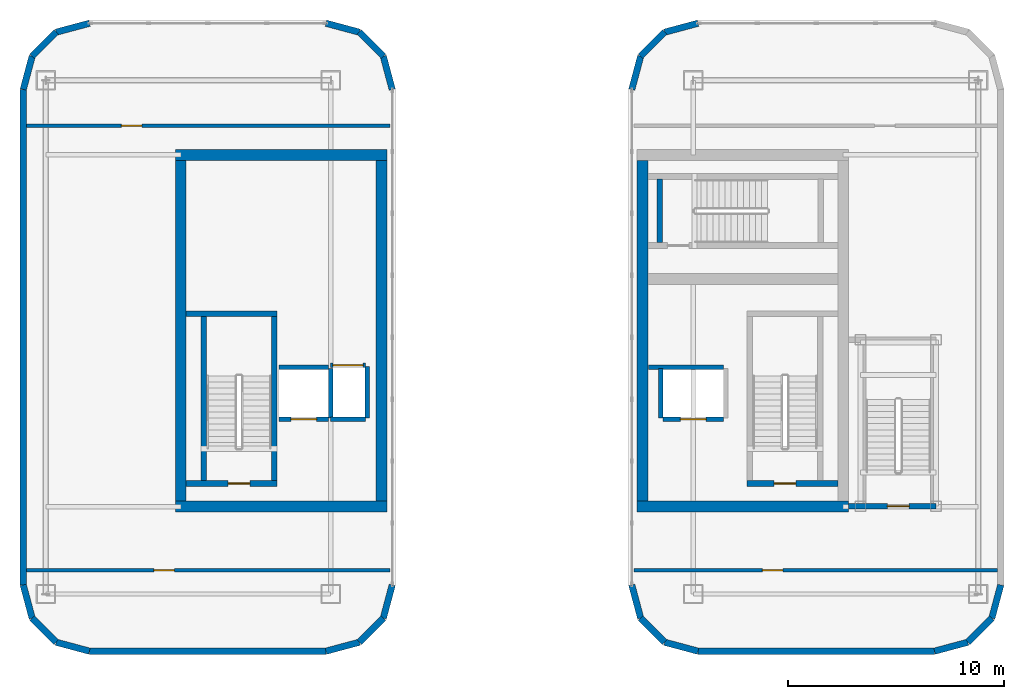
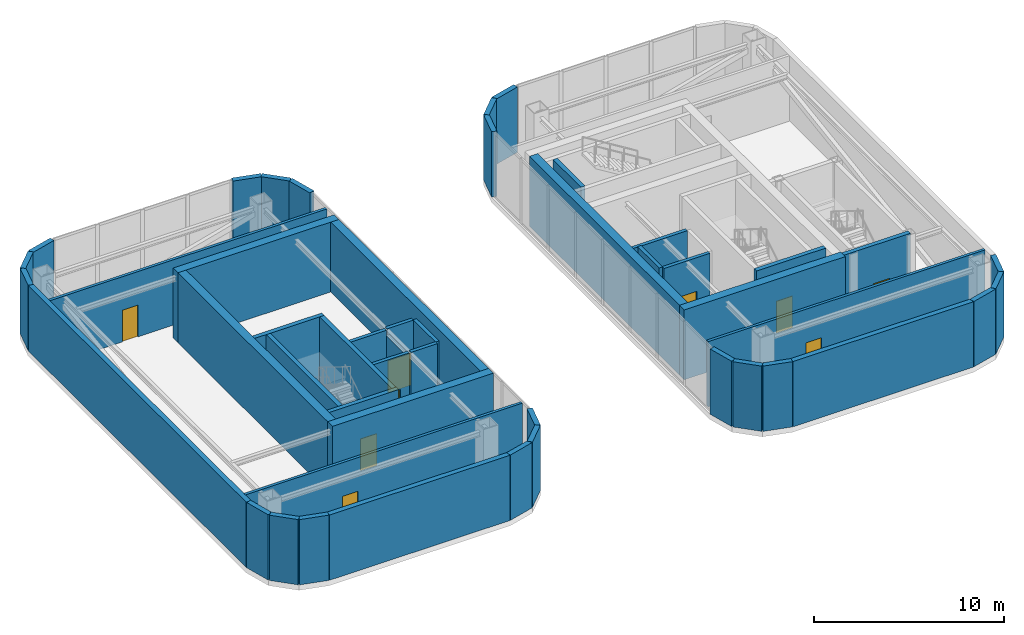
# One storey, part 11 of 14: 49 walls, 9 doors, 9 openings.
"""IFC4 building model written with IfcOpenShell, lengths in metres."""

from ifc_helpers import new_model, si_unit, direction, frame, frame_2d, origin, place, context, subcontext, project, spatial, rectangle, extrude, material, layer, layer_set, type_object, element, fill, save


model = new_model("IFC4")

# Units and contexts
model_context = context("Model", 3, precision=1e-05, world=origin(), true_north=direction((0.0, 1.0)))
body_context = subcontext(model_context, "Body", "Model", "MODEL_VIEW")
ifc_project = project(units=[si_unit("LENGTHUNIT", "METRE"), si_unit("AREAUNIT", "SQUARE_METRE"), si_unit("VOLUMEUNIT", "CUBIC_METRE"), si_unit("PLANEANGLEUNIT", "RADIAN"), si_unit("MASSUNIT", "GRAM", prefix="KILO")], contexts=[model_context])

# Site, building, storey
site_placement = place(None, origin())
site = spatial("IfcSite", under=ifc_project, at=site_placement, CompositionType="ELEMENT")
building_placement = place(site_placement, origin())
building = spatial("IfcBuilding", under=site, at=building_placement, Name="Kiyonajd Concourse Tower", CompositionType="ELEMENT")
storey_placement = place(building_placement, frame((0.0, 0.0, 359.39990234375)))
storey = spatial("IfcBuildingStorey", under=building, at=storey_placement, Name="L90", CompositionType="ELEMENT", Elevation=359.39990234375)

# Walls
ifc_material_1 = material(Name="Concrete C60/75", Category="concrete")
ifc_layer_1 = layer(ifc_material_1, 0.5)
ifc_layer_set_1 = layer_set([ifc_layer_1], Name="Concrete C60/75")
wall_type_1 = type_object("IfcWallType", Name="WL-CORE-500", PredefinedType="SHEAR", material=ifc_layer_set_1)
for number, where, z_axis, x_axis, name in (
    (1, (32.64990234375, 28.10009765625, 0.0), (0.0, 0.0, 1.0), (0.0, 1.0, 0.0), "L90 West Crown Outer Core Wall"),
    (2, (41.949951171875, 28.10009765625, 0.0), (0.0, 0.0, 1.0), (0.0, 1.0, 0.0), "L90 West Crown Inner Core Wall"),
):
    element("IfcWall", number, at=place(storey_placement, frame(where, z_axis=z_axis, x_axis=x_axis)), inside=storey, type_object=wall_type_1, Name=name, PredefinedType="SHEAR", context=body_context, shape_type="SweptSolid", body=[
        extrude(rectangle(XDim=15.7998046875, YDim=0.5, at=frame_2d((7.89990234375, 0.0))), origin(), (0.0, 0.0, 1.0), 4.5),
    ])
for number, where, z_axis, x_axis, name in (
    (3, (32.39990234375, 27.85009765625, 0.0), (0.0, 0.0, 1.0), (1.0, 0.0, 0.0), "L90 West Crown South Core Wall"),
    (4, (32.39990234375, 44.14990234375, 0.0), (0.0, 0.0, 1.0), (1.0, 0.0, 0.0), "L90 West Crown North Core Wall"),
):
    element("IfcWall", number, at=place(storey_placement, frame(where, z_axis=z_axis, x_axis=x_axis)), inside=storey, type_object=wall_type_1, Name=name, PredefinedType="SHEAR", context=body_context, shape_type="SweptSolid", body=[
        extrude(rectangle(XDim=9.800048828125, YDim=0.5, at=frame_2d((4.89990234375, 0.0))), origin(), (0.0, 0.0, 1.0), 4.5),
    ])
wall_1_placement = place(storey_placement, frame((54.050048828125, 28.10009765625, 0.0), z_axis=(0.0, 0.0, 1.0), x_axis=(0.0, 1.0, 0.0)))
element("IfcWall", 5, at=wall_1_placement, inside=storey, type_object=wall_type_1, Name="L90 East Crown Inner Core Wall", PredefinedType="SHEAR", context=body_context, shape_type="SweptSolid", body=[
    extrude(rectangle(XDim=15.7998046875, YDim=0.5, at=frame_2d((7.89990234375, 0.0))), origin(), (0.0, 0.0, 1.0), 4.5),
])
wall_2_placement = place(storey_placement, frame((53.800048828125, 27.85009765625, 0.0), z_axis=(0.0, 0.0, 1.0), x_axis=(1.0, 0.0, 0.0)))
element("IfcWall", 6, at=wall_2_placement, inside=storey, type_object=wall_type_1, Name="L90 East Crown South Core Wall", PredefinedType="SHEAR", context=body_context, shape_type="SweptSolid", body=[
    extrude(rectangle(XDim=9.800048828125, YDim=0.5, at=frame_2d((4.89990234375, 0.0))), origin(), (0.0, 0.0, 1.0), 4.5),
])
ifc_material_2 = material(Name="Precast concrete C50/60", Category="concrete")
ifc_layer_2 = layer(ifc_material_2, 0.300048828125)
ifc_layer_set_2 = layer_set([ifc_layer_2], Name="Precast concrete C50/60")
wall_type_2 = type_object("IfcWallType", Name="WL-CRN-300", PredefinedType="SOLIDWALL", material=ifc_layer_set_2)
wall_3_placement = place(storey_placement, frame((25.35009765625, 24.2197265625, 0.0), z_axis=(0.0, 0.0, 1.0), x_axis=(0.0, 1.0, 0.0)))
element("IfcWall", 7, at=wall_3_placement, inside=storey, type_object=wall_type_2, Name="L90 W Crown Enclosure Wall 01", PredefinedType="SOLIDWALL", context=body_context, shape_type="SweptSolid", body=[
    extrude(rectangle(XDim=22.96044921875, YDim=0.300048828125, at=frame_2d((11.480224609375, 0.0))), origin(), (0.0, 0.0, 1.0), 4.2001953125),
])
wall_4_placement = place(storey_placement, frame((25.35009765625, 47.18017578125, 0.0), z_axis=(0.0, 0.0, 1.0), x_axis=(0.258871110129, 0.965911874003, 0.0)))
element("IfcWall", 8, at=wall_4_placement, inside=storey, type_object=wall_type_2, Name="L90 W Crown Enclosure Wall 02", PredefinedType="SOLIDWALL", context=body_context, shape_type="SweptSolid", body=[
    extrude(rectangle(XDim=1.5966796875, YDim=0.300048828125, at=frame_2d((0.79833984375, 0.0))), origin(), (0.0, 0.0, 1.0), 4.2001953125),
])
wall_5_placement = place(storey_placement, frame((25.763427734375, 48.722412109375, 0.0), z_axis=(0.0, 0.0, 1.0), x_axis=(0.707184251115, 0.707029302769, 0.0)))
element("IfcWall", 9, at=wall_5_placement, inside=storey, type_object=wall_type_2, Name="L90 W Crown Enclosure Wall 03", PredefinedType="SOLIDWALL", context=body_context, shape_type="SweptSolid", body=[
    extrude(rectangle(XDim=1.57568359375, YDim=0.300048828125, at=frame_2d((0.787841796875, 0.0))), origin(), (0.0, 0.0, 1.0), 4.2001953125),
])
for number, where, z_axis, x_axis, name in (
    (10, (26.877685546875, 49.83642578125, 0.0), (0.0, 0.0, 1.0), (0.96587363116, 0.259013761467, 0.0), "L90 W Crown Enclosure Wall 04"),
    (11, (39.380126953125, 50.25, 0.0), (0.0, 0.0, 1.0), (0.96587363116, -0.259013761467, 0.0), "L90 W Crown Enclosure Wall 06"),
):
    element("IfcWall", number, at=place(storey_placement, frame(where, z_axis=z_axis, x_axis=x_axis)), inside=storey, type_object=wall_type_2, Name=name, PredefinedType="SOLIDWALL", context=body_context, shape_type="SweptSolid", body=[
        extrude(rectangle(XDim=1.5966796875, YDim=0.300048828125, at=frame_2d((0.79833984375, 0.0))), origin(), (0.0, 0.0, 1.0), 4.2001953125),
    ])
wall_6_placement = place(storey_placement, frame((40.92236328125, 49.83642578125, 0.0), z_axis=(0.0, 0.0, 1.0), x_axis=(0.707184251115, -0.707029302769, 0.0)))
element("IfcWall", 12, at=wall_6_placement, inside=storey, type_object=wall_type_2, Name="L90 W Crown Enclosure Wall 07", PredefinedType="SOLIDWALL", context=body_context, shape_type="SweptSolid", body=[
    extrude(rectangle(XDim=1.57568359375, YDim=0.300048828125, at=frame_2d((0.787841796875, 0.0))), origin(), (0.0, 0.0, 1.0), 4.2001953125),
])
wall_7_placement = place(storey_placement, frame((42.03662109375, 48.722412109375, 0.0), z_axis=(0.0, 0.0, 1.0), x_axis=(0.258871110129, -0.965911874003, 0.0)))
element("IfcWall", 13, at=wall_7_placement, inside=storey, type_object=wall_type_2, Name="L90 W Crown Enclosure Wall 08", PredefinedType="SOLIDWALL", context=body_context, shape_type="SweptSolid", body=[
    extrude(rectangle(XDim=1.5966796875, YDim=0.300048828125, at=frame_2d((0.79833984375, 0.0))), origin(), (0.0, 0.0, 1.0), 4.2001953125),
])
wall_8_placement = place(storey_placement, frame((42.449951171875, 24.2197265625, 0.0), z_axis=(0.0, 0.0, 1.0), x_axis=(-0.258909349397, -0.965901624802, 0.0)))
element("IfcWall", 14, at=wall_8_placement, inside=storey, type_object=wall_type_2, Name="L90 W Crown Enclosure Wall 10", PredefinedType="SOLIDWALL", context=body_context, shape_type="SweptSolid", body=[
    extrude(rectangle(XDim=1.596435546875, YDim=0.300048828125, at=frame_2d((0.79833984375, 0.0))), origin(), (0.0, 0.0, 1.0), 4.2001953125),
])
wall_9_placement = place(storey_placement, frame((42.03662109375, 22.677734375, 0.0), z_axis=(0.0, 0.0, 1.0), x_axis=(-0.707106781187, -0.707106781187, 0.0)))
element("IfcWall", 15, at=wall_9_placement, inside=storey, type_object=wall_type_2, Name="L90 W Crown Enclosure Wall 11", PredefinedType="SOLIDWALL", context=body_context, shape_type="SweptSolid", body=[
    extrude(rectangle(XDim=1.57568359375, YDim=0.300048828125, at=frame_2d((0.787841796875, 0.0))), origin(), (0.0, 0.0, 1.0), 4.2001953125),
])
wall_10_placement = place(storey_placement, frame((40.92236328125, 21.5634765625, 0.0), z_axis=(0.0, 0.0, 1.0), x_axis=(-0.96587363116, -0.259013761467, 0.0)))
element("IfcWall", 16, at=wall_10_placement, inside=storey, type_object=wall_type_2, Name="L90 W Crown Enclosure Wall 12", PredefinedType="SOLIDWALL", context=body_context, shape_type="SweptSolid", body=[
    extrude(rectangle(XDim=1.5966796875, YDim=0.300048828125, at=frame_2d((0.79833984375, 0.0))), origin(), (0.0, 0.0, 1.0), 4.2001953125),
])
wall_11_placement = place(storey_placement, frame((39.380126953125, 21.14990234375, 0.0), z_axis=(0.0, 0.0, 1.0), x_axis=(-1.0, 0.0, 0.0)))
element("IfcWall", 17, at=wall_11_placement, inside=storey, type_object=wall_type_2, Name="L90 W Crown Enclosure Wall 13", PredefinedType="SOLIDWALL", context=body_context, shape_type="SweptSolid", body=[
    extrude(rectangle(XDim=10.960205078125, YDim=0.300048828125, at=frame_2d((5.47998046875, 0.0))), origin(), (0.0, 0.0, 1.0), 4.2001953125),
])
wall_12_placement = place(storey_placement, frame((28.419921875, 21.14990234375, 0.0), z_axis=(0.0, 0.0, 1.0), x_axis=(-0.96587363116, 0.259013761467, 0.0)))
element("IfcWall", 18, at=wall_12_placement, inside=storey, type_object=wall_type_2, Name="L90 W Crown Enclosure Wall 14", PredefinedType="SOLIDWALL", context=body_context, shape_type="SweptSolid", body=[
    extrude(rectangle(XDim=1.5966796875, YDim=0.300048828125, at=frame_2d((0.79833984375, 0.0))), origin(), (0.0, 0.0, 1.0), 4.2001953125),
])
wall_13_placement = place(storey_placement, frame((26.877685546875, 21.5634765625, 0.0), z_axis=(0.0, 0.0, 1.0), x_axis=(-0.707106781187, 0.707106781187, 0.0)))
element("IfcWall", 19, at=wall_13_placement, inside=storey, type_object=wall_type_2, Name="L90 W Crown Enclosure Wall 15", PredefinedType="SOLIDWALL", context=body_context, shape_type="SweptSolid", body=[
    extrude(rectangle(XDim=1.57568359375, YDim=0.300048828125, at=frame_2d((0.787841796875, 0.0))), origin(), (0.0, 0.0, 1.0), 4.2001953125),
])
wall_14_placement = place(storey_placement, frame((25.763427734375, 22.677734375, 0.0), z_axis=(0.0, 0.0, 1.0), x_axis=(-0.258909349397, 0.965901624802, 0.0)))
element("IfcWall", 20, at=wall_14_placement, inside=storey, type_object=wall_type_2, Name="L90 W Crown Enclosure Wall 16", PredefinedType="SOLIDWALL", context=body_context, shape_type="SweptSolid", body=[
    extrude(rectangle(XDim=1.596435546875, YDim=0.300048828125, at=frame_2d((0.79833984375, 0.0))), origin(), (0.0, 0.0, 1.0), 4.2001953125),
])
wall_15_placement = place(storey_placement, frame((53.550048828125, 47.18017578125, 0.0), z_axis=(0.0, 0.0, 1.0), x_axis=(0.258871110129, 0.965911874003, 0.0)))
element("IfcWall", 21, at=wall_15_placement, inside=storey, type_object=wall_type_2, Name="L90 E Crown Enclosure Wall 02", PredefinedType="SOLIDWALL", context=body_context, shape_type="SweptSolid", body=[
    extrude(rectangle(XDim=1.5966796875, YDim=0.300048828125, at=frame_2d((0.79833984375, 0.0))), origin(), (0.0, 0.0, 1.0), 4.2001953125),
])
wall_16_placement = place(storey_placement, frame((53.96337890625, 48.722412109375, 0.0), z_axis=(0.0, 0.0, 1.0), x_axis=(0.707184251115, 0.707029302769, 0.0)))
element("IfcWall", 22, at=wall_16_placement, inside=storey, type_object=wall_type_2, Name="L90 E Crown Enclosure Wall 03", PredefinedType="SOLIDWALL", context=body_context, shape_type="SweptSolid", body=[
    extrude(rectangle(XDim=1.57568359375, YDim=0.300048828125, at=frame_2d((0.787841796875, 0.0))), origin(), (0.0, 0.0, 1.0), 4.2001953125),
])
wall_17_placement = place(storey_placement, frame((55.07763671875, 49.83642578125, 0.0), z_axis=(0.0, 0.0, 1.0), x_axis=(0.96587363116, 0.259013761467, 0.0)))
element("IfcWall", 23, at=wall_17_placement, inside=storey, type_object=wall_type_2, Name="L90 E Crown Enclosure Wall 04", PredefinedType="SOLIDWALL", context=body_context, shape_type="SweptSolid", body=[
    extrude(rectangle(XDim=1.5966796875, YDim=0.300048828125, at=frame_2d((0.79833984375, 0.0))), origin(), (0.0, 0.0, 1.0), 4.2001953125),
])
wall_18_placement = place(storey_placement, frame((70.64990234375, 24.2197265625, 0.0), z_axis=(0.0, 0.0, 1.0), x_axis=(-0.258909349397, -0.965901624802, 0.0)))
element("IfcWall", 24, at=wall_18_placement, inside=storey, type_object=wall_type_2, Name="L90 E Crown Enclosure Wall 10", PredefinedType="SOLIDWALL", context=body_context, shape_type="SweptSolid", body=[
    extrude(rectangle(XDim=1.596435546875, YDim=0.300048828125, at=frame_2d((0.79833984375, 0.0))), origin(), (0.0, 0.0, 1.0), 4.2001953125),
])
wall_19_placement = place(storey_placement, frame((70.236572265625, 22.677734375, 0.0), z_axis=(0.0, 0.0, 1.0), x_axis=(-0.707106781187, -0.707106781187, 0.0)))
element("IfcWall", 25, at=wall_19_placement, inside=storey, type_object=wall_type_2, Name="L90 E Crown Enclosure Wall 11", PredefinedType="SOLIDWALL", context=body_context, shape_type="SweptSolid", body=[
    extrude(rectangle(XDim=1.57568359375, YDim=0.300048828125, at=frame_2d((0.787841796875, 0.0))), origin(), (0.0, 0.0, 1.0), 4.2001953125),
])
wall_20_placement = place(storey_placement, frame((69.122314453125, 21.5634765625, 0.0), z_axis=(0.0, 0.0, 1.0), x_axis=(-0.96587363116, -0.259013761467, 0.0)))
element("IfcWall", 26, at=wall_20_placement, inside=storey, type_object=wall_type_2, Name="L90 E Crown Enclosure Wall 12", PredefinedType="SOLIDWALL", context=body_context, shape_type="SweptSolid", body=[
    extrude(rectangle(XDim=1.5966796875, YDim=0.300048828125, at=frame_2d((0.79833984375, 0.0))), origin(), (0.0, 0.0, 1.0), 4.2001953125),
])
wall_21_placement = place(storey_placement, frame((67.580078125, 21.14990234375, 0.0), z_axis=(0.0, 0.0, 1.0), x_axis=(-1.0, 0.0, 0.0)))
element("IfcWall", 27, at=wall_21_placement, inside=storey, type_object=wall_type_2, Name="L90 E Crown Enclosure Wall 13", PredefinedType="SOLIDWALL", context=body_context, shape_type="SweptSolid", body=[
    extrude(rectangle(XDim=10.960205078125, YDim=0.300048828125, at=frame_2d((5.47998046875, 0.0))), origin(), (0.0, 0.0, 1.0), 4.2001953125),
])
wall_22_placement = place(storey_placement, frame((56.619873046875, 21.14990234375, 0.0), z_axis=(0.0, 0.0, 1.0), x_axis=(-0.96587363116, 0.259013761467, 0.0)))
element("IfcWall", 28, at=wall_22_placement, inside=storey, type_object=wall_type_2, Name="L90 E Crown Enclosure Wall 14", PredefinedType="SOLIDWALL", context=body_context, shape_type="SweptSolid", body=[
    extrude(rectangle(XDim=1.5966796875, YDim=0.300048828125, at=frame_2d((0.79833984375, 0.0))), origin(), (0.0, 0.0, 1.0), 4.2001953125),
])
wall_23_placement = place(storey_placement, frame((55.07763671875, 21.5634765625, 0.0), z_axis=(0.0, 0.0, 1.0), x_axis=(-0.707106781187, 0.707106781187, 0.0)))
element("IfcWall", 29, at=wall_23_placement, inside=storey, type_object=wall_type_2, Name="L90 E Crown Enclosure Wall 15", PredefinedType="SOLIDWALL", context=body_context, shape_type="SweptSolid", body=[
    extrude(rectangle(XDim=1.57568359375, YDim=0.300048828125, at=frame_2d((0.787841796875, 0.0))), origin(), (0.0, 0.0, 1.0), 4.2001953125),
])
wall_24_placement = place(storey_placement, frame((53.96337890625, 22.677734375, 0.0), z_axis=(0.0, 0.0, 1.0), x_axis=(-0.258909349397, 0.965901624802, 0.0)))
element("IfcWall", 30, at=wall_24_placement, inside=storey, type_object=wall_type_2, Name="L90 E Crown Enclosure Wall 16", PredefinedType="SOLIDWALL", context=body_context, shape_type="SweptSolid", body=[
    extrude(rectangle(XDim=1.596435546875, YDim=0.300048828125, at=frame_2d((0.79833984375, 0.0))), origin(), (0.0, 0.0, 1.0), 4.2001953125),
])

# Wall, opening, door
ifc_material_3 = material(Name="Gypsum Board on Cold-Formed Steel Stud", Category="steel")
ifc_layer_3 = layer(ifc_material_3, 0.2099609375)
ifc_layer_set_3 = layer_set([ifc_layer_3], Name="Gypsum Board on Cold-Formed Steel Stud")
wall_type_3 = type_object("IfcWallType", Name="WL-SHAFT-210", PredefinedType="PARTITIONING", material=ifc_layer_set_3)
wall_25_placement = place(storey_placement, frame((37.199951171875, 31.89990234375, 0.0), z_axis=(0.0, 0.0, 1.0), x_axis=(1.0, 0.0, 0.0)))
wall_25 = element("IfcWall", 31, at=wall_25_placement, inside=storey, type_object=wall_type_3, Name="L90 Shaft Enclosure Wall", PredefinedType="PARTITIONING", context=body_context, shape_type="SweptSolid", body=[
    extrude(rectangle(XDim=2.300048828125, YDim=0.2099609375, at=frame_2d((1.14990234375, 0.0))), origin(), (0.0, 0.0, 1.0), 4.2001953125),
])
opening_1_placement = place(wall_25_placement, frame((0.550048828125, 0.0, 0.0)))
opening_1 = element("IfcOpeningElement", 32, at=opening_1_placement, cuts=wall_25, Name="Opening LD2", PredefinedType="OPENING", context=body_context, shape_type="SweptSolid", body=[
    extrude(rectangle(XDim=1.199951171875, YDim=2.0400390625, at=frame_2d((0.60009765625, 1.02001953125))), frame((0.0, 0.114990234375, 0.0), z_axis=(0.0, -1.0, 0.0), x_axis=(1.0, 0.0, 0.0)), (0.0, 0.0, 1.0), 0.22998046875),
])
ifc_material_4 = material(Name="Brushed Stainless Steel Cab Assembly", Category="steel")
door_type_1 = type_object("IfcDoorType", Name="DR-LD-1200", OperationType="DOUBLE_DOOR_SLIDING", PredefinedType="DOOR", material=ifc_material_4)
door_1_placement = place(opening_1_placement, origin())
door_1 = element("IfcDoor", 33, at=door_1_placement, inside=storey, type_object=door_type_1, Name="L90 Lift FFL1 Sliding Landing Door", OperationType="DOUBLE_DOOR_SLIDING", OverallHeight=2.0400390625, OverallWidth=1.199951171875, PredefinedType="DOOR", context=body_context, shape_type="SweptSolid", body=[
    extrude(rectangle(XDim=1.199951171875, YDim=2.0400390625, at=frame_2d((0.60009765625, 1.02001953125))), frame((0.0, 0.02490234375, 0.0), z_axis=(0.0, -1.0, 0.0), x_axis=(1.0, 0.0, 0.0)), (0.0, 0.0, 1.0), 0.050048828125),
])
fill(opening_1, door_1)

# Walls
wall_26_placement = place(storey_placement, frame((37.199951171875, 34.300048828125, 0.0), z_axis=(0.0, 0.0, 1.0), x_axis=(1.0, 0.0, 0.0)))
element("IfcWall", 34, at=wall_26_placement, inside=storey, type_object=wall_type_3, Name="L90 Shaft Enclosure Wall", PredefinedType="PARTITIONING", context=body_context, shape_type="SweptSolid", body=[
    extrude(rectangle(XDim=2.300048828125, YDim=0.2099609375, at=frame_2d((1.14990234375, 0.0))), origin(), (0.0, 0.0, 1.0), 4.2001953125),
])
wall_27_placement = place(storey_placement, frame((39.60009765625, 31.9599609375, 0.0), z_axis=(0.0, 0.0, 1.0), x_axis=(0.0, 1.0, 0.0)))
element("IfcWall", 35, at=wall_27_placement, inside=storey, type_object=wall_type_3, Name="L90 Shaft Enclosure Wall", PredefinedType="PARTITIONING", context=body_context, shape_type="SweptSolid", body=[
    extrude(rectangle(XDim=2.280029296875, YDim=0.2099609375, at=frame_2d((1.14013671875, 0.0))), origin(), (0.0, 0.0, 1.0), 3.839111328125),
])

# Wall, opening, door
wall_28_placement = place(storey_placement, frame((55.0, 31.89990234375, 0.0), z_axis=(0.0, 0.0, 1.0), x_axis=(1.0, 0.0, 0.0)))
wall_28 = element("IfcWall", 36, at=wall_28_placement, inside=storey, type_object=wall_type_3, Name="L90 Shaft Enclosure Wall", PredefinedType="PARTITIONING", context=body_context, shape_type="SweptSolid", body=[
    extrude(rectangle(XDim=2.800048828125, YDim=0.2099609375, at=frame_2d((1.39990234375, 0.0))), origin(), (0.0, 0.0, 1.0), 4.2001953125),
])
opening_2_placement = place(wall_28_placement, frame((0.800048828125, 0.0, 0.0)))
opening_2 = element("IfcOpeningElement", 37, at=opening_2_placement, cuts=wall_28, Name="Opening LD2", PredefinedType="OPENING", context=body_context, shape_type="SweptSolid", body=[
    extrude(rectangle(XDim=1.199951171875, YDim=2.0400390625, at=frame_2d((0.60009765625, 1.02001953125))), frame((0.0, 0.114990234375, 0.0), z_axis=(0.0, -1.0, 0.0), x_axis=(1.0, 0.0, 0.0)), (0.0, 0.0, 1.0), 0.22998046875),
])
door_2_placement = place(opening_2_placement, origin())
door_2 = element("IfcDoor", 38, at=door_2_placement, inside=storey, type_object=door_type_1, Name="L90 Lift FFL2 Sliding Landing Door", OperationType="DOUBLE_DOOR_SLIDING", OverallHeight=2.0400390625, OverallWidth=1.199951171875, PredefinedType="DOOR", context=body_context, shape_type="SweptSolid", body=[
    extrude(rectangle(XDim=1.199951171875, YDim=2.0400390625, at=frame_2d((0.60009765625, 1.02001953125))), frame((0.0, 0.02490234375, 0.0), z_axis=(0.0, -1.0, 0.0), x_axis=(1.0, 0.0, 0.0)), (0.0, 0.0, 1.0), 0.050048828125),
])
fill(opening_2, door_2)

# Walls
wall_29_placement = place(storey_placement, frame((54.320068359375, 34.300048828125, 0.0), z_axis=(0.0, 0.0, 1.0), x_axis=(1.0, 0.0, 0.0)))
element("IfcWall", 39, at=wall_29_placement, inside=storey, type_object=wall_type_3, Name="L90 Shaft Enclosure Wall", PredefinedType="PARTITIONING", context=body_context, shape_type="SweptSolid", body=[
    extrude(rectangle(XDim=3.47998046875, YDim=0.2099609375, at=frame_2d((1.739990234375, 0.0))), origin(), (0.0, 0.0, 1.0), 4.2001953125),
])
wall_30_placement = place(storey_placement, frame((54.89990234375, 31.9599609375, 0.0), z_axis=(0.0, 0.0, 1.0), x_axis=(0.0, 1.0, 0.0)))
element("IfcWall", 40, at=wall_30_placement, inside=storey, type_object=wall_type_3, Name="L90 Shaft Enclosure Wall", PredefinedType="PARTITIONING", context=body_context, shape_type="SweptSolid", body=[
    extrude(rectangle(XDim=2.280029296875, YDim=0.2099609375, at=frame_2d((1.14013671875, 0.0))), origin(), (0.0, 0.0, 1.0), 4.2001953125),
])

# Wall, opening, door
wall_31_placement = place(storey_placement, frame((39.60009765625, 34.39990234375, 0.0), z_axis=(0.0, 0.0, 1.0), x_axis=(1.0, 0.0, 0.0)))
wall_31 = element("IfcWall", 41, at=wall_31_placement, inside=storey, type_object=wall_type_3, Name="L90 Shaft Enclosure Wall", PredefinedType="PARTITIONING", context=body_context, shape_type="SweptSolid", body=[
    extrude(rectangle(XDim=1.599853515625, YDim=0.2099609375, at=frame_2d((0.7998046875, 0.0))), origin(), (0.0, 0.0, 1.0), 4.2001953125),
])
opening_3_placement = place(wall_31_placement, frame((0.10009765625, 0.0, 0.0)))
opening_3 = element("IfcOpeningElement", 42, at=opening_3_placement, cuts=wall_31, Name="Opening LD3", PredefinedType="OPENING", context=body_context, shape_type="SweptSolid", body=[
    extrude(rectangle(XDim=1.39990234375, YDim=2.06005859375, at=frame_2d((0.699951171875, 1.030029296875))), frame((0.0, 0.114990234375, 0.0), z_axis=(0.0, -1.0, 0.0), x_axis=(1.0, 0.0, 0.0)), (0.0, 0.0, 1.0), 0.22998046875),
])
door_type_2 = type_object("IfcDoorType", Name="DR-LD-1400", OperationType="DOUBLE_DOOR_SLIDING", PredefinedType="DOOR", material=ifc_material_4)
door_3_placement = place(opening_3_placement, origin())
door_3 = element("IfcDoor", 43, at=door_3_placement, inside=storey, type_object=door_type_2, Name="L90 Lift SVL1 Sliding Landing Door", OperationType="DOUBLE_DOOR_SLIDING", OverallHeight=2.06005859375, OverallWidth=1.39990234375, PredefinedType="DOOR", context=body_context, shape_type="SweptSolid", body=[
    extrude(rectangle(XDim=1.39990234375, YDim=2.06005859375, at=frame_2d((0.699951171875, 1.030029296875))), frame((0.0, 0.02490234375, 0.0), z_axis=(0.0, -1.0, 0.0), x_axis=(1.0, 0.0, 0.0)), (0.0, 0.0, 1.0), 0.050048828125),
])
fill(opening_3, door_3)

# Walls
wall_32_placement = place(storey_placement, frame((39.60009765625, 31.89990234375, 0.0), z_axis=(0.0, 0.0, 1.0), x_axis=(1.0, 0.0, 0.0)))
element("IfcWall", 44, at=wall_32_placement, inside=storey, type_object=wall_type_3, Name="L90 Shaft Enclosure Wall", PredefinedType="PARTITIONING", context=body_context, shape_type="SweptSolid", body=[
    extrude(rectangle(XDim=1.599853515625, YDim=0.2099609375, at=frame_2d((0.7998046875, 0.0))), origin(), (0.0, 0.0, 1.0), 4.2001953125),
])
wall_33_placement = place(storey_placement, frame((41.300048828125, 31.9599609375, 0.0), z_axis=(0.0, 0.0, 1.0), x_axis=(0.0, 1.0, 0.0)))
element("IfcWall", 45, at=wall_33_placement, inside=storey, type_object=wall_type_3, Name="L90 Shaft Enclosure Wall", PredefinedType="PARTITIONING", context=body_context, shape_type="SweptSolid", body=[
    extrude(rectangle(XDim=2.380126953125, YDim=0.2099609375, at=frame_2d((1.18994140625, 0.0))), origin(), (0.0, 0.0, 1.0), 4.2001953125),
])

# Wall, opening, door
ifc_layer_4 = layer(ifc_material_3, 0.169921875)
ifc_layer_set_4 = layer_set([ifc_layer_4], Name="Gypsum Board on Cold-Formed Steel Stud")
wall_type_4 = type_object("IfcWallType", Name="WL-SMK-170", PredefinedType="PARTITIONING", material=ifc_layer_set_4)
wall_34_placement = place(storey_placement, frame((25.4951171875, 24.89990234375, 0.0), z_axis=(0.0, 0.0, 1.0), x_axis=(1.0, 0.0, 0.0)))
wall_34 = element("IfcWall", 46, at=wall_34_placement, inside=storey, type_object=wall_type_4, Name="L90 Interior Partition Wall", PredefinedType="PARTITIONING", context=body_context, shape_type="SweptSolid", body=[
    extrude(rectangle(XDim=16.849853515625, YDim=0.169921875, at=frame_2d((8.4248046875, 0.0))), origin(), (0.0, 0.0, 1.0), 4.2001953125),
])
opening_4_placement = place(wall_34_placement, frame((5.905029296875, 0.0, 0.0)))
opening_4 = element("IfcOpeningElement", 47, at=opening_4_placement, cuts=wall_34, Name="Opening DF3", PredefinedType="OPENING", context=body_context, shape_type="SweptSolid", body=[
    extrude(rectangle(XDim=0.949951171875, YDim=2.0400390625, at=frame_2d((0.47509765625, 1.02001953125))), frame((0.0, 0.094970703125, 0.0), z_axis=(0.0, -1.0, 0.0), x_axis=(1.0, 0.0, 0.0)), (0.0, 0.0, 1.0), 0.18994140625),
])
door_type_3 = type_object("IfcDoorType", Name="DR-FD60-950", OperationType="NOTDEFINED", PredefinedType="DOOR", material=ifc_material_4)
door_4_placement = place(opening_4_placement, origin())
door_4 = element("IfcDoor", 48, at=door_4_placement, inside=storey, type_object=door_type_3, Name="L90 Interior Door", OperationType="SINGLE_SWING_RIGHT", OverallHeight=2.0400390625, OverallWidth=0.949951171875, PredefinedType="DOOR", context=body_context, shape_type="SweptSolid", body=[
    extrude(rectangle(XDim=0.949951171875, YDim=2.0400390625, at=frame_2d((0.47509765625, 1.02001953125))), frame((0.0, 0.02490234375, 0.0), z_axis=(0.0, -1.0, 0.0), x_axis=(1.0, 0.0, 0.0)), (0.0, 0.0, 1.0), 0.050048828125),
])
fill(opening_4, door_4)

wall_35_placement = place(storey_placement, frame((25.4951171875, 45.5, 0.0), z_axis=(0.0, 0.0, 1.0), x_axis=(1.0, 0.0, 0.0)))
wall_35 = element("IfcWall", 49, at=wall_35_placement, inside=storey, type_object=wall_type_4, Name="L90 Interior Partition Wall", PredefinedType="PARTITIONING", context=body_context, shape_type="SweptSolid", body=[
    extrude(rectangle(XDim=16.849853515625, YDim=0.169921875, at=frame_2d((8.4248046875, 0.0))), origin(), (0.0, 0.0, 1.0), 4.2001953125),
])
opening_5_placement = place(wall_35_placement, frame((4.405029296875, 0.0, 0.0)))
opening_5 = element("IfcOpeningElement", 50, at=opening_5_placement, cuts=wall_35, Name="Opening DF3", PredefinedType="OPENING", context=body_context, shape_type="SweptSolid", body=[
    extrude(rectangle(XDim=0.949951171875, YDim=2.0400390625, at=frame_2d((0.47509765625, 1.02001953125))), frame((0.0, 0.094970703125, 0.0), z_axis=(0.0, -1.0, 0.0), x_axis=(1.0, 0.0, 0.0)), (0.0, 0.0, 1.0), 0.18994140625),
])
door_5_placement = place(opening_5_placement, origin())
door_5 = element("IfcDoor", 51, at=door_5_placement, inside=storey, type_object=door_type_3, Name="L90 Interior Door", OperationType="SINGLE_SWING_LEFT", OverallHeight=2.0400390625, OverallWidth=0.949951171875, PredefinedType="DOOR", context=body_context, shape_type="SweptSolid", body=[
    extrude(rectangle(XDim=0.949951171875, YDim=2.0400390625, at=frame_2d((0.47509765625, 1.02001953125))), frame((0.0, 0.02490234375, 0.0), z_axis=(0.0, -1.0, 0.0), x_axis=(1.0, 0.0, 0.0)), (0.0, 0.0, 1.0), 0.050048828125),
])
fill(opening_5, door_5)

wall_36_placement = place(storey_placement, frame((53.655029296875, 24.89990234375, 0.0), z_axis=(0.0, 0.0, 1.0), x_axis=(1.0, 0.0, 0.0)))
wall_36 = element("IfcWall", 52, at=wall_36_placement, inside=storey, type_object=wall_type_4, Name="L90 Interior Partition Wall", PredefinedType="PARTITIONING", context=body_context, shape_type="SweptSolid", body=[
    extrude(rectangle(XDim=16.849853515625, YDim=0.169921875, at=frame_2d((8.4248046875, 0.0))), origin(), (0.0, 0.0, 1.0), 4.2001953125),
])
opening_6_placement = place(wall_36_placement, frame((5.945068359375, 0.0, 0.0)))
opening_6 = element("IfcOpeningElement", 53, at=opening_6_placement, cuts=wall_36, Name="Opening DF3", PredefinedType="OPENING", context=body_context, shape_type="SweptSolid", body=[
    extrude(rectangle(XDim=0.949951171875, YDim=2.0400390625, at=frame_2d((0.47509765625, 1.02001953125))), frame((0.0, 0.094970703125, 0.0), z_axis=(0.0, -1.0, 0.0), x_axis=(1.0, 0.0, 0.0)), (0.0, 0.0, 1.0), 0.18994140625),
])
door_6_placement = place(opening_6_placement, origin())
door_6 = element("IfcDoor", 54, at=door_6_placement, inside=storey, type_object=door_type_3, Name="L90 Interior Door", OperationType="SINGLE_SWING_RIGHT", OverallHeight=2.0400390625, OverallWidth=0.949951171875, PredefinedType="DOOR", context=body_context, shape_type="SweptSolid", body=[
    extrude(rectangle(XDim=0.949951171875, YDim=2.0400390625, at=frame_2d((0.47509765625, 1.02001953125))), frame((0.0, 0.02490234375, 0.0), z_axis=(0.0, -1.0, 0.0), x_axis=(1.0, 0.0, 0.0)), (0.0, 0.0, 1.0), 0.050048828125),
])
fill(opening_6, door_6)

ifc_material_5 = material(Name="Concrete C50/60", Category="concrete")
ifc_layer_5 = layer(ifc_material_5, 0.260009765625)
ifc_layer_set_5 = layer_set([ifc_layer_5], Name="Concrete C50/60")
wall_type_5 = type_object("IfcWallType", Name="WL-STAIR-260", PredefinedType="SHEAR", material=ifc_layer_set_5)
wall_37_placement = place(storey_placement, frame((32.89990234375, 28.919921875, 0.0), z_axis=(0.0, 0.0, 1.0), x_axis=(1.0, 0.0, 0.0)))
wall_37 = element("IfcWall", 55, at=wall_37_placement, inside=storey, type_object=wall_type_5, Name="L90 Stair ST1 Structural South Wall", PredefinedType="SHEAR", context=body_context, shape_type="SweptSolid", body=[
    extrude(rectangle(XDim=4.210205078125, YDim=0.260009765625, at=frame_2d((2.10498046875, 0.0))), origin(), (0.0, 0.0, 1.0), 4.5),
])
opening_7_placement = place(wall_37_placement, frame((1.949951171875, 0.0, 0.0)))
opening_7 = element("IfcOpeningElement", 56, at=opening_7_placement, cuts=wall_37, Name="Opening DF1", PredefinedType="OPENING", context=body_context, shape_type="SweptSolid", body=[
    extrude(rectangle(XDim=1.0, YDim=2.0400390625, at=frame_2d((0.5, 1.02001953125))), frame((0.0, 0.139892578125, 0.0), z_axis=(0.0, -1.0, 0.0), x_axis=(1.0, 0.0, 0.0)), (0.0, 0.0, 1.0), 0.280029296875),
])
door_type_4 = type_object("IfcDoorType", Name="DR-FD90-1000", OperationType="NOTDEFINED", PredefinedType="DOOR", material=ifc_material_4)
door_7_placement = place(opening_7_placement, origin())
door_7 = element("IfcDoor", 57, at=door_7_placement, inside=storey, type_object=door_type_4, Name="L90 Stair ST1 Enclosure Door", OperationType="SINGLE_SWING_RIGHT", OverallHeight=2.0400390625, OverallWidth=1.0, PredefinedType="DOOR", context=body_context, shape_type="SweptSolid", body=[
    extrude(rectangle(XDim=1.0, YDim=2.0400390625, at=frame_2d((0.5, 1.02001953125))), frame((0.0, 0.02490234375, 0.0), z_axis=(0.0, -1.0, 0.0), x_axis=(1.0, 0.0, 0.0)), (0.0, 0.0, 1.0), 0.050048828125),
])
fill(opening_7, door_7)

# Walls
wall_38_placement = place(storey_placement, frame((32.89990234375, 36.780029296875, 0.0), z_axis=(0.0, 0.0, 1.0), x_axis=(1.0, 0.0, 0.0)))
element("IfcWall", 58, at=wall_38_placement, inside=storey, type_object=wall_type_5, Name="L90 Stair ST1 Structural North Wall", PredefinedType="SHEAR", context=body_context, shape_type="SweptSolid", body=[
    extrude(rectangle(XDim=4.210205078125, YDim=0.260009765625, at=frame_2d((2.10498046875, 0.0))), origin(), (0.0, 0.0, 1.0), 4.5),
])
for number, where, z_axis, x_axis, name in (
    (59, (33.719970703125, 29.050048828125, 0.0), (0.0, 0.0, 1.0), (0.0, 1.0, 0.0), "L90 Stair ST1 Structural West Wall"),
    (60, (36.97998046875, 29.050048828125, 0.0), (0.0, 0.0, 1.0), (0.0, 1.0, 0.0), "L90 Stair ST1 Structural East Wall"),
):
    element("IfcWall", number, at=place(storey_placement, frame(where, z_axis=z_axis, x_axis=x_axis)), inside=storey, type_object=wall_type_5, Name=name, PredefinedType="SHEAR", context=body_context, shape_type="SweptSolid", body=[
        extrude(rectangle(XDim=7.599853515625, YDim=0.260009765625, at=frame_2d((3.7998046875, 0.0))), origin(), (0.0, 0.0, 1.0), 4.5),
    ])

# Wall, opening, door
wall_39_placement = place(storey_placement, frame((58.889892578125, 28.919921875, 0.0), z_axis=(0.0, 0.0, 1.0), x_axis=(1.0, 0.0, 0.0)))
wall_39 = element("IfcWall", 61, at=wall_39_placement, inside=storey, type_object=wall_type_5, Name="L90 Stair ST2 Structural South Wall", PredefinedType="SHEAR", context=body_context, shape_type="SweptSolid", body=[
    extrude(rectangle(XDim=4.210205078125, YDim=0.260009765625, at=frame_2d((2.10498046875, 0.0))), origin(), (0.0, 0.0, 1.0), 4.5),
])
opening_8_placement = place(wall_39_placement, frame((1.260009765625, 0.0, 0.0)))
opening_8 = element("IfcOpeningElement", 62, at=opening_8_placement, cuts=wall_39, Name="Opening DF1", PredefinedType="OPENING", context=body_context, shape_type="SweptSolid", body=[
    extrude(rectangle(XDim=1.0, YDim=2.0400390625, at=frame_2d((0.5, 1.02001953125))), frame((0.0, 0.139892578125, 0.0), z_axis=(0.0, -1.0, 0.0), x_axis=(1.0, 0.0, 0.0)), (0.0, 0.0, 1.0), 0.280029296875),
])
door_8_placement = place(opening_8_placement, origin())
door_8 = element("IfcDoor", 63, at=door_8_placement, inside=storey, type_object=door_type_4, Name="L90 Stair ST2 Enclosure Door", OperationType="SINGLE_SWING_RIGHT", OverallHeight=2.0400390625, OverallWidth=1.0, PredefinedType="DOOR", context=body_context, shape_type="SweptSolid", body=[
    extrude(rectangle(XDim=1.0, YDim=2.0400390625, at=frame_2d((0.5, 1.02001953125))), frame((0.0, 0.02490234375, 0.0), z_axis=(0.0, -1.0, 0.0), x_axis=(1.0, 0.0, 0.0)), (0.0, 0.0, 1.0), 0.050048828125),
])
fill(opening_8, door_8)

# Wall
wall_40_placement = place(storey_placement, frame((54.85009765625, 40.080078125, 0.0), z_axis=(0.0, 0.0, 1.0), x_axis=(0.0, 1.0, 0.0)))
element("IfcWall", 64, at=wall_40_placement, inside=storey, type_object=wall_type_5, Name="L90 Stair ST3 Structural West Wall", PredefinedType="SHEAR", context=body_context, shape_type="SweptSolid", body=[
    extrude(rectangle(XDim=2.93994140625, YDim=0.260009765625, at=frame_2d((1.469970703125, 0.0))), origin(), (0.0, 0.0, 1.0), 4.5),
])

# Wall, opening, door
wall_41_placement = place(storey_placement, frame((63.60009765625, 27.8701171875, 0.0), z_axis=(0.0, 0.0, 1.0), x_axis=(1.0, 0.0, 0.0)))
wall_41 = element("IfcWall", 65, at=wall_41_placement, inside=storey, type_object=wall_type_5, Name="L90 Stair ST6 Structural South Wall", PredefinedType="SHEAR", context=body_context, shape_type="SweptSolid", body=[
    extrude(rectangle(XDim=4.059814453125, YDim=0.260009765625, at=frame_2d((2.02978515625, 0.0))), origin(), (0.0, 0.0, 1.0), 4.5),
])
opening_9_placement = place(wall_41_placement, frame((1.800048828125, 0.0, 0.0)))
opening_9 = element("IfcOpeningElement", 66, at=opening_9_placement, cuts=wall_41, Name="Opening DF1", PredefinedType="OPENING", context=body_context, shape_type="SweptSolid", body=[
    extrude(rectangle(XDim=1.0, YDim=2.0400390625, at=frame_2d((0.5, 1.02001953125))), frame((0.0, 0.139892578125, 0.0), z_axis=(0.0, -1.0, 0.0), x_axis=(1.0, 0.0, 0.0)), (0.0, 0.0, 1.0), 0.280029296875),
])
door_9_placement = place(opening_9_placement, origin())
door_9 = element("IfcDoor", 67, at=door_9_placement, inside=storey, type_object=door_type_4, Name="L90 Stair ST6 Enclosure Door", OperationType="SINGLE_SWING_RIGHT", OverallHeight=2.0400390625, OverallWidth=1.0, PredefinedType="DOOR", context=body_context, shape_type="SweptSolid", body=[
    extrude(rectangle(XDim=1.0, YDim=2.0400390625, at=frame_2d((0.5, 1.02001953125))), frame((0.0, 0.02490234375, 0.0), z_axis=(0.0, -1.0, 0.0), x_axis=(1.0, 0.0, 0.0)), (0.0, 0.0, 1.0), 0.050048828125),
])
fill(opening_9, door_9)

save(model, "model.ifc")
